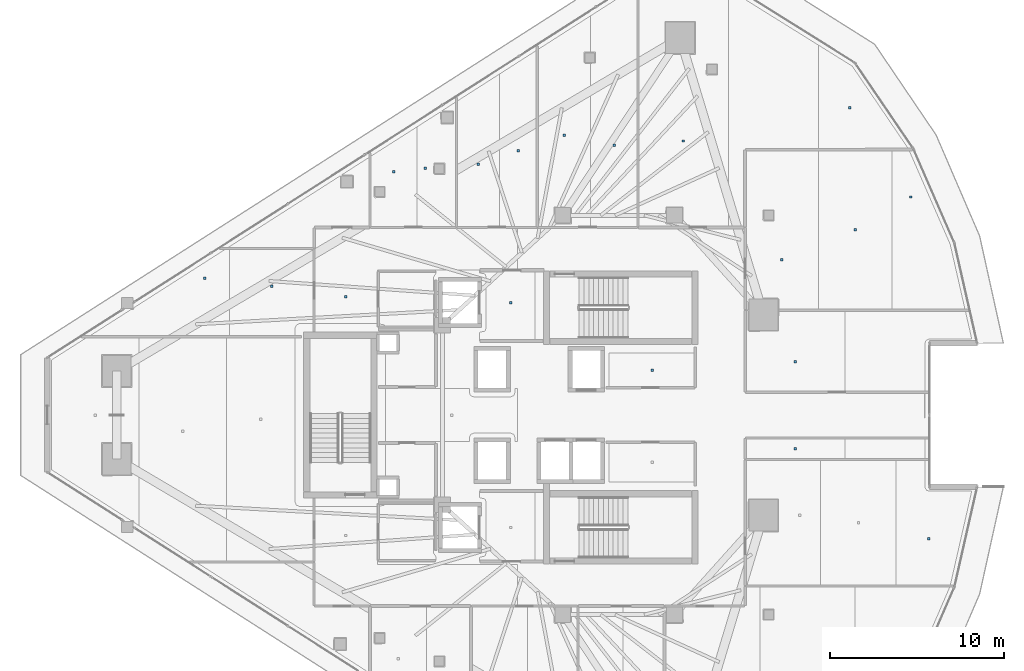
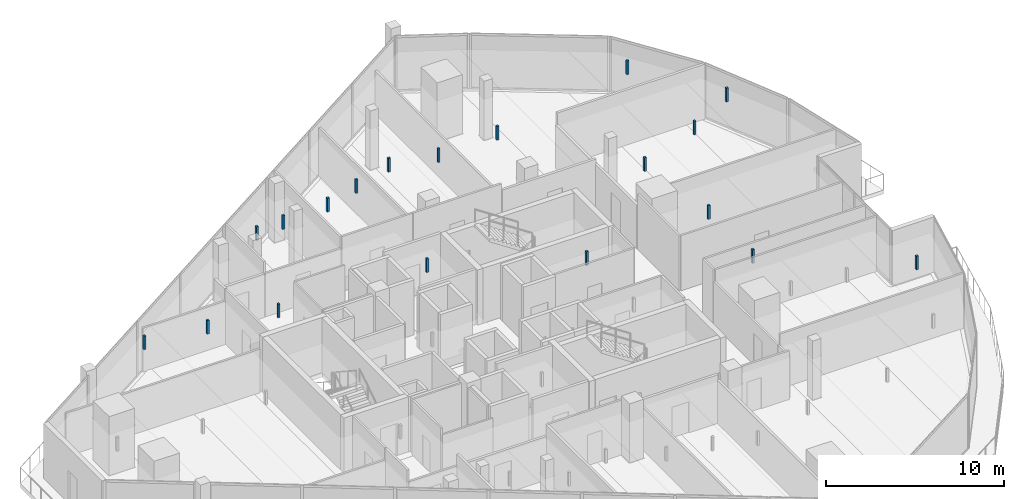
# One storey, part 27 of 33: 19 discrete accessories.
"""IFC4 building model written with IfcOpenShell, lengths in metres."""

import ifcopenshell
import ifcopenshell.guid

model = None  # the IFC model being written
_history = None  # IfcOwnerHistory: only IFC2X3 demands one
_inside = {}  # id of a spatial element -> (the spatial element, [elements in it])
_under = {}  # id of a project, library or spatial element -> (it, [spatial elements below it])
_declared = {}  # id of a project -> (the project, [libraries it declares])
_typed = {}  # id of a type object -> (the type object, [elements of that type])
_made_of = {}  # id of a material, layer set ... -> (it, [elements and type objects made of it])


def new_model(schema):
    """Start an empty IFC model of exactly this schema.

    Asked for "IFC4X3", IfcOpenShell would pick the latest addendum, in which some entities
    have other attributes; the version numbers below select the first issue.
    IFC2X3 requires an IfcOwnerHistory on every rooted entity: one is made here for all.
    """
    global model, _history
    if schema == "IFC4X3":
        model = ifcopenshell.file(schema_version=(4, 3, 0, 0))
    else:
        model = ifcopenshell.file(schema=schema)
    _inside.clear()
    _under.clear()
    _declared.clear()
    _typed.clear()
    _made_of.clear()
    _history = None
    if model.schema == "IFC2X3":
        org = make("IfcOrganization", Name="unknown")
        user = make(
            "IfcPersonAndOrganization",
            ThePerson=make("IfcPerson", FamilyName="unknown"),
            TheOrganization=org,
        )
        app = make(
            "IfcApplication",
            ApplicationDeveloper=org,
            Version="unknown",
            ApplicationFullName="unknown",
            ApplicationIdentifier="unknown",
        )
        _history = make(
            "IfcOwnerHistory",
            OwningUser=user,
            OwningApplication=app,
            ChangeAction="ADDED",
            CreationDate=0,
        )
    return model


def make(cls, **values):
    """One entity of the class cls with the attributes given. An attribute that is None is left unset."""
    return model.create_entity(
        cls, **{name: value for name, value in values.items() if value is not None}
    )


def rooted(cls, **values):
    """An entity with a GlobalId (a new one), such as an element, a storey or a relation."""
    return make(cls, GlobalId=ifcopenshell.guid.new(), OwnerHistory=_history, **values)


def si_unit(unit_type, name, prefix=None):
    """IfcSIUnit, for example si_unit("LENGTHUNIT", "METRE", prefix="MILLI")."""
    return make("IfcSIUnit", UnitType=unit_type, Prefix=prefix, Name=name)


def assignment(units):
    """IfcUnitAssignment: the units of a project."""
    return None if units is None else make("IfcUnitAssignment", Units=units)


def point(xyz):
    """IfcCartesianPoint."""
    return None if xyz is None else make("IfcCartesianPoint", Coordinates=xyz)


def direction(xyz):
    """IfcDirection."""
    return None if xyz is None else make("IfcDirection", DirectionRatios=xyz)


def frame(location, z_axis=None, x_axis=None):
    """IfcAxis2Placement3D, a coordinate frame: its origin and axes. An axis left out is left unset."""
    return make(
        "IfcAxis2Placement3D",
        Location=point(location),
        Axis=direction(z_axis),
        RefDirection=direction(x_axis),
    )


def frame_2d(location, x_axis=None):
    """IfcAxis2Placement2D, a coordinate frame in the plane: its origin and x axis."""
    return make(
        "IfcAxis2Placement2D", Location=point(location), RefDirection=direction(x_axis)
    )


def origin():
    """The frame at (0, 0, 0) with its axes left unset."""
    return frame((0.0, 0.0, 0.0))


def origin_2d():
    """The frame at (0, 0) in the plane with its x axis left unset."""
    return frame_2d((0.0, 0.0))


def place(relative_to, where):
    """IfcLocalPlacement: puts the frame where relative to a parent placement (None: the world)."""
    return make(
        "IfcLocalPlacement", PlacementRelTo=relative_to, RelativePlacement=where
    )


def context(
    kind, dimensions, precision=None, world=None, true_north=None, identifier=None
):
    """IfcGeometricRepresentationContext, for example the 3D "Model" context."""
    return make(
        "IfcGeometricRepresentationContext",
        ContextIdentifier=identifier,
        ContextType=kind,
        CoordinateSpaceDimension=dimensions,
        Precision=precision,
        WorldCoordinateSystem=world,
        TrueNorth=true_north,
    )


def subcontext(parent, identifier, kind, view, scale=None):
    """IfcGeometricRepresentationSubContext, for example "Body" below "Model"."""
    return make(
        "IfcGeometricRepresentationSubContext",
        ContextIdentifier=identifier,
        ContextType=kind,
        ParentContext=parent,
        TargetScale=scale,
        TargetView=view,
    )


def project(units=None, contexts=None):
    """IfcProject with its units and contexts."""
    return rooted(
        "IfcProject",
        Name="project",
        RepresentationContexts=contexts,
        UnitsInContext=assignment(units),
    )


def spatial(cls, under=None, at=None, **own):
    """A site, building, storey or space (cls), placed at a placement, below another one or the project."""
    s = rooted(cls, ObjectPlacement=at, **own)
    if under is not None:
        _under.setdefault(under.id(), (under, []))[1].append(s)
    return s


def profile(cls, at=None, kind="AREA", **sizes):
    """A parametric profile (cls). Its sizes go by their IFC names, for example OverallWidth=200.0."""
    return make(cls, ProfileType=kind, Position=at, **sizes)


def rectangle(**sizes):
    """IfcRectangleProfileDef."""
    return profile("IfcRectangleProfileDef", **sizes)


def extrude(swept, where, along, depth):
    """IfcExtrudedAreaSolid: the profile swept, set in the frame where, extruded along a direction by depth."""
    return make(
        "IfcExtrudedAreaSolid",
        SweptArea=swept,
        Position=where,
        ExtrudedDirection=direction(along),
        Depth=depth,
    )


def shape(context_of_items, identifier, shape_type, items):
    """IfcShapeRepresentation: the items that make up one representation, for example the "Body"."""
    return make(
        "IfcShapeRepresentation",
        ContextOfItems=context_of_items,
        RepresentationIdentifier=identifier,
        RepresentationType=shape_type,
        Items=items,
    )


def material(Name=None, Category=None):
    """IfcMaterial."""
    return make("IfcMaterial", Name=Name, Category=Category)


def made_of(thing, what):
    """Note that an element or type object is made of a material, layer set ...; save() writes the relation."""
    if what is not None:
        _made_of.setdefault(what.id(), (what, []))[1].append(thing)
    return thing


def type_object(cls, material=None, **own):
    """A type object (cls), such as IfcWallType, which elements share."""
    return made_of(rooted(cls, **own), material)


def element(
    cls,
    number,
    at=None,
    inside=None,
    cuts=None,
    type_object=None,
    material=None,
    context=None,
    identifier="Body",
    shape_type=None,
    held_by="IfcProductDefinitionShape",
    body=None,
    shapes=None,
    **own,
):
    """One element of the class cls, such as IfcWall. Its Tag is "e" and its number.

    at: its placement. inside: the storey or other place that contains it. cuts: it is an
    opening in that element (IfcRelVoidsElement). A single representation is given by context,
    identifier, shape_type and body (its items); several are given by shapes. held_by: the class
    of the entity that holds the representations. save() writes the other relations.
    """
    e = rooted(cls, Tag="e%d" % number, ObjectPlacement=at, **own)
    if body is not None:
        shapes = [shape(context, identifier, shape_type, body)]
    if shapes is not None:
        e.Representation = make(held_by, Representations=shapes)
    if inside is not None:
        _inside.setdefault(inside.id(), (inside, []))[1].append(e)
    if cuts is not None:
        rooted(
            "IfcRelVoidsElement", RelatingBuildingElement=cuts, RelatedOpeningElement=e
        )
    if type_object is not None:
        _typed.setdefault(type_object.id(), (type_object, []))[1].append(e)
    return made_of(e, material)


def aggregate(whole, parts):
    """IfcRelAggregates: a whole, such as a stair, and the parts it consists of."""
    return rooted("IfcRelAggregates", RelatingObject=whole, RelatedObjects=parts)


def save(model, path):
    """Write the relations noted so far, then the file.

    IfcRelAggregates (storeys below a building ...), IfcRelContainedInSpatialStructure (elements
    in a storey), IfcRelDefinesByType, IfcRelAssociatesMaterial and IfcRelDeclares: one each for
    every whole, place, type object, material and project.
    """
    for whole, parts in _under.values():
        aggregate(whole, parts)
    for where, things in _inside.values():
        rooted(
            "IfcRelContainedInSpatialStructure",
            RelatedElements=things,
            RelatingStructure=where,
        )
    for kind, things in _typed.values():
        rooted("IfcRelDefinesByType", RelatedObjects=things, RelatingType=kind)
    for what, things in _made_of.values():
        rooted("IfcRelAssociatesMaterial", RelatedObjects=things, RelatingMaterial=what)
    for by, libraries in _declared.values():
        rooted("IfcRelDeclares", RelatingContext=by, RelatedDefinitions=libraries)
    model.write(path)


model = new_model("IFC4")

# Units and contexts
model_context = context("Model", 3, precision=1e-05, world=origin(), true_north=direction((0.0, 1.0)))
body_context = subcontext(model_context, "Body", "Model", "MODEL_VIEW")
ifc_project = project(units=[si_unit("LENGTHUNIT", "METRE"), si_unit("AREAUNIT", "SQUARE_METRE"), si_unit("VOLUMEUNIT", "CUBIC_METRE"), si_unit("PLANEANGLEUNIT", "RADIAN"), si_unit("MASSUNIT", "GRAM", prefix="KILO")], contexts=[model_context])

# Site, building, storey
site_placement = place(None, origin())
site = spatial("IfcSite", under=ifc_project, at=site_placement, CompositionType="ELEMENT")
building_placement = place(site_placement, origin())
building = spatial("IfcBuilding", under=site, at=building_placement, Name="Qorvath Tower", CompositionType="ELEMENT")
storey_placement = place(building_placement, frame((0.0, 0.0, 237.449951171875)))
storey = spatial("IfcBuildingStorey", under=building, at=storey_placement, Name="L55", CompositionType="ELEMENT", Elevation=237.449951171875)

# Discrete accessories
ifc_material = material(Name="Galvanised steel bracket", Category="steel")
discrete_accessory_type = type_object("IfcDiscreteAccessoryType", Name="DA-BRACKET", PredefinedType="BRACKET", material=ifc_material)
for number, where, z_axis, x_axis, name in (
    (1, (-26.590087890625, 6.449951171875, 2.85986328125), (0.0, 0.0, 1.0), (1.0, 0.0, 0.0), "Acoustic Ceiling Suspension Hanger T1-L55-001"),
    (2, (-18.472412109375, 2.5625, 2.85986328125), (0.0, 0.0, 1.0), (1.0, 0.0, 0.0), "Acoustic Ceiling Suspension Hanger T1-L55-003"),
    (3, (-36.040283203125, 6.782470703125, 2.85986328125), (0.0, 0.0, 1.0), (1.0, 0.0, 0.0), "Acoustic Ceiling Suspension Hanger T1-L55-010"),
    (4, (-33.301513671875, 13.961669921875, 2.85986328125), (0.0, 0.0, 1.0), (1.0, 0.0, 0.0), "Acoustic Ceiling Suspension Hanger T1-L55-012"),
    (5, (-31.480712890625, 14.1455078125, 2.85986328125), (0.0, 0.0, 1.0), (1.0, 0.0, 0.0), "Acoustic Ceiling Suspension Hanger T1-L55-013"),
    (6, (-28.458984375, 14.376708984375, 2.85986328125), (0.0, 0.0, 1.0), (1.0, 0.0, 0.0), "Acoustic Ceiling Suspension Hanger T1-L55-014"),
    (7, (-26.15771484375, 15.153564453125, 2.85986328125), (0.0, 0.0, 1.0), (1.0, 0.0, 0.0), "Acoustic Ceiling Suspension Hanger T1-L55-015"),
    (8, (-23.526611328125, 16.05126953125, 2.85986328125), (0.0, 0.0, 1.0), (1.0, 0.0, 0.0), "Acoustic Ceiling Suspension Hanger T1-L55-016"),
    (9, (-20.641845703125, 15.46630859375, 2.85986328125), (0.0, 0.0, 1.0), (1.0, 0.0, 0.0), "Acoustic Ceiling Suspension Hanger T1-L55-017"),
    (10, (-16.681396484375, 15.712646484375, 2.85986328125), (0.0, 0.0, 1.0), (1.0, 0.0, 0.0), "Acoustic Ceiling Suspension Hanger T1-L55-018"),
    (11, (-7.151123046875, 17.61474609375, 2.85986328125), (0.0, 0.0, 1.0), (1.0, 0.0, 0.0), "Acoustic Ceiling Suspension Hanger T1-L55-020"),
    (12, (-2.625244140625, -7.0830078125, 2.85986328125), (0.0, 0.0, 1.0), (1.0, 0.0, 0.0), "Acoustic Ceiling Suspension Hanger T1-L55-032"),
    (13, (-10.281005859375, 3.055419921875, 2.85986328125), (0.0, 0.0, 1.0), (1.0, 0.0, 0.0), "Acoustic Ceiling Suspension Hanger T1-L55-033"),
    (14, (-10.281005859375, -1.9208984375, 2.85986328125), (0.0, 0.0, 1.0), (1.0, 0.0, 0.0), "Acoustic Ceiling Suspension Hanger T1-L55-034"),
    (15, (-11.03564453125, 8.91650390625, 2.85986328125), (0.0, 0.0, 1.0), (1.0, 0.0, 0.0), "Acoustic Ceiling Suspension Hanger T1-L55-036"),
    (16, (-6.8330078125, 10.61376953125, 2.85986328125), (0.0, 0.0, 1.0), (1.0, 0.0, 0.0), "Acoustic Ceiling Suspension Hanger T1-L55-037"),
    (17, (-3.65185546875, 12.501708984375, 2.85986328125), (0.0, 0.0, 1.0), (1.0, 0.0, 0.0), "Acoustic Ceiling Suspension Hanger T1-L55-038"),
    (18, (-44.13037109375, 7.844970703125, 2.85986328125), (0.0, 0.0, 1.0), (1.0, 0.0, 0.0), "Acoustic Ceiling Suspension Hanger T1-L55-043"),
    (19, (-40.287841796875, 7.387939453125, 2.85986328125), (0.0, 0.0, 1.0), (1.0, 0.0, 0.0), "Acoustic Ceiling Suspension Hanger T1-L55-044"),
):
    element("IfcDiscreteAccessory", number, at=place(storey_placement, frame(where, z_axis=z_axis, x_axis=x_axis)), inside=storey, type_object=discrete_accessory_type, Name=name, PredefinedType="NOTDEFINED", context=body_context, shape_type="SweptSolid", body=[
        extrude(rectangle(XDim=0.139892578125, YDim=0.139892578125, at=origin_2d()), origin(), (0.0, 0.0, 1.0), 0.949951171875),
    ])

save(model, "model.ifc")
